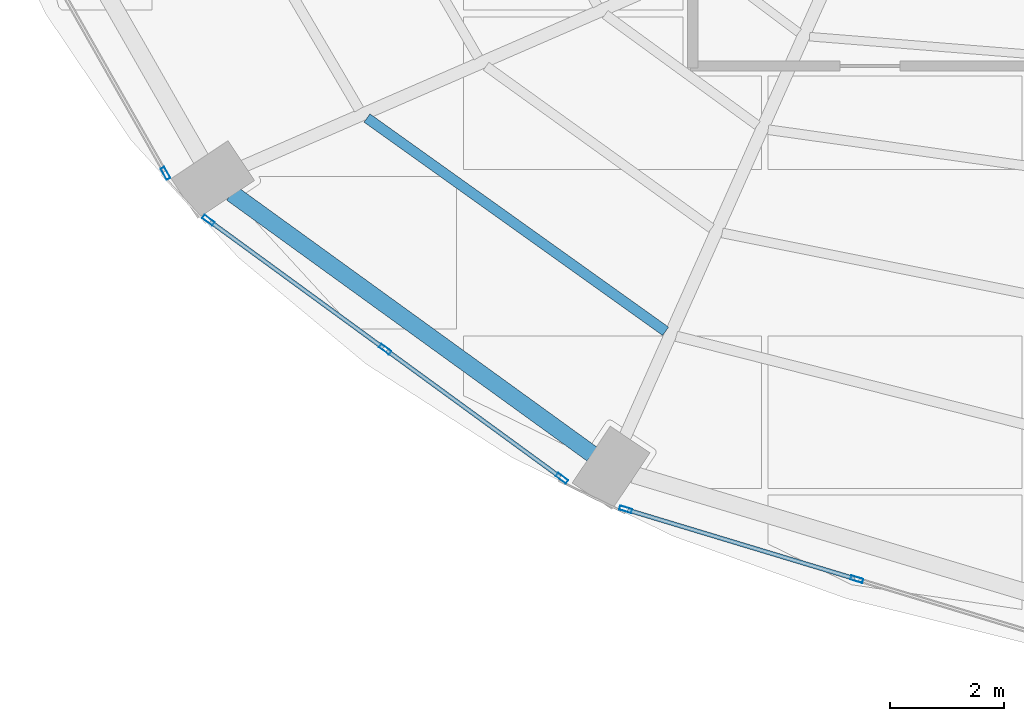
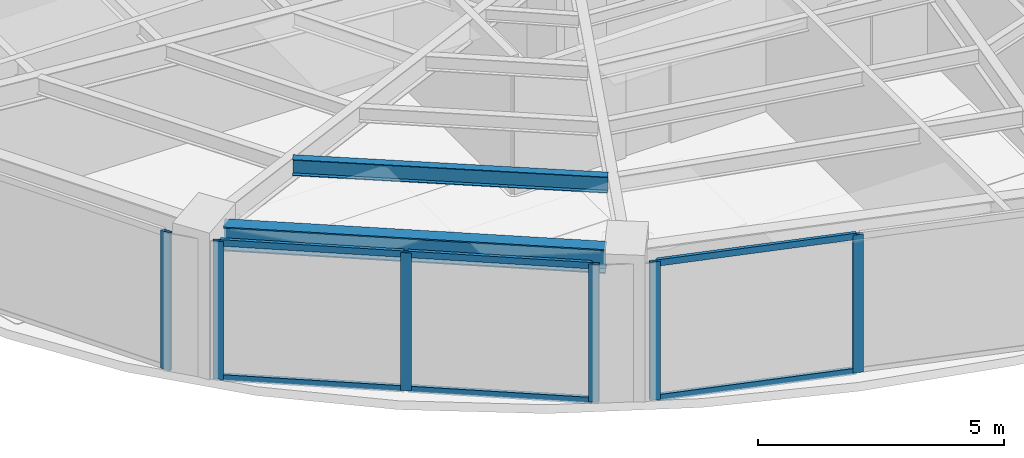
# One storey, part 2 of 23: 12 members, 2 beams, 3 elements without a shape of their own.
"""IFC4 building model written with IfcOpenShell, lengths in metres."""

from ifc_helpers import new_model, si_unit, direction, frame, origin, origin_2d, place, context, subcontext, project, spatial, hollow_rectangle, i_section, extrude, material, layer, layer_set, material_profile, profile_set, type_object, element, aggregate, save


model = new_model("IFC4")

# Units and contexts
model_context = context("Model", 3, precision=1e-05, world=origin(), true_north=direction((0.0, 1.0)))
body_context = subcontext(model_context, "Body", "Model", "MODEL_VIEW")
ifc_project = project(units=[si_unit("LENGTHUNIT", "METRE"), si_unit("AREAUNIT", "SQUARE_METRE"), si_unit("VOLUMEUNIT", "CUBIC_METRE"), si_unit("PLANEANGLEUNIT", "RADIAN"), si_unit("MASSUNIT", "GRAM", prefix="KILO")], contexts=[model_context])

# Site, building, storey
site_placement = place(None, origin())
site = spatial("IfcSite", under=ifc_project, at=site_placement, CompositionType="ELEMENT")
building_placement = place(site_placement, origin())
building = spatial("IfcBuilding", under=site, at=building_placement, Name="Lazwardi Medical Tower", CompositionType="ELEMENT")
storey_placement = place(building_placement, frame((0.0, 0.0, 85.39208984375)))
storey = spatial("IfcBuildingStorey", under=building, at=storey_placement, Name="L21", CompositionType="ELEMENT", Elevation=85.39208984375)

# Beams
ifc_material_1 = material(Name="Steel S355", Category="steel")
ifc_material_profile_1 = material_profile(ifc_material_1, i_section(OverallWidth=0.300048828125, OverallDepth=0.60009765625, WebThickness=0.015380859375, FlangeThickness=0.030029296875, at=origin_2d()), Name="HEB 600")
ifc_profile_set_1 = profile_set([ifc_material_profile_1], Name="Steel S355")
beam_type_1 = type_object("IfcBeamType", Name="BM-RB-Z2", PredefinedType="BEAM", material=ifc_profile_set_1)
beam_1_placement = place(storey_placement, frame((15.25439453125, 15.164794921875, 3.1279296875), z_axis=(0.81005674773, -0.586351486275, 0.0), x_axis=(0.586351486275, 0.81005674773, 0.0)))
element("IfcBeam", 1, at=beam_1_placement, inside=storey, type_object=beam_type_1, Name="Ring beam RB-03 B14 L21", PredefinedType="BEAM", context=body_context, shape_type="SweptSolid", body=[
    extrude(i_section(OverallWidth=0.300048828125, OverallDepth=0.60009765625, WebThickness=0.015380859375, FlangeThickness=0.030029296875, at=origin_2d()), origin(), (0.0, 0.0, 1.0), 7.81396484375),
])
ifc_material_profile_2 = material_profile(ifc_material_1, i_section(OverallWidth=0.179931640625, OverallDepth=0.39990234375, WebThickness=0.008544921875, FlangeThickness=0.013427734375, at=origin_2d()), Name="IPE 400")
ifc_profile_set_2 = profile_set([ifc_material_profile_2], Name="Steel S355")
beam_type_2 = type_object("IfcBeamType", Name="BM-SJ-01", PredefinedType="JOIST", material=ifc_profile_set_2)
beam_2_placement = place(storey_placement, frame((17.630615234375, 16.485595703125, 3.22802734375), z_axis=(0.813748834317, -0.581216684763, 0.0), x_axis=(0.581216684763, 0.813748834317, 0.0)))
element("IfcBeam", 2, at=beam_2_placement, inside=storey, type_object=beam_type_2, Name="Secondary joist SJ-01 R1 B14 L21", PredefinedType="JOIST", context=body_context, shape_type="SweptSolid", body=[
    extrude(i_section(OverallWidth=0.179931640625, OverallDepth=0.39990234375, WebThickness=0.008544921875, FlangeThickness=0.013427734375, at=origin_2d()), origin(), (0.0, 0.0, 1.0), 6.4423828125),
])

# Curtain wall, member
ifc_material_2 = material(Name="Anodised bronze aluminium and solar control glazing", Category="aluminium")
ifc_layer = layer(ifc_material_2, 0.195068359375)
ifc_layer_set = layer_set([ifc_layer], Name="Anodised bronze aluminium and solar control glazing")
curtain_wall_type = type_object("IfcCurtainWallType", Name="CW-SYS-03", PredefinedType="NOTDEFINED", material=ifc_layer_set)
curtain_wall_1_placement = place(storey_placement, origin())
curtain_wall_1 = element("IfcCurtainWall", 3, at=curtain_wall_1_placement, inside=storey, type_object=curtain_wall_type, Name="L21 Unitised bronze curtain wall CW-03", PredefinedType="NOTDEFINED")
ifc_material_3 = material(Name="Anodised bronze aluminium", Category="aluminium")
ifc_material_profile_3 = material_profile(ifc_material_3, hollow_rectangle(XDim=0.074951171875, YDim=0.219970703125, WallThickness=0.00390625, at=origin_2d()), Name="ALU-MULLION 220x75x4")
ifc_profile_set_3 = profile_set([ifc_material_profile_3], Name="Anodised bronze aluminium")
member_type_1 = type_object("IfcMemberType", Name="CW-MUL-01", PredefinedType="MULLION", material=ifc_profile_set_3)
member_1_placement = place(storey_placement, frame((14.0927734375, 15.51416015625, 0.0), z_axis=(0.0, 0.0, 1.0), x_axis=(0.869687265712, 0.493603140041, 0.0)))
member_1 = element("IfcMember", 4, at=member_1_placement, type_object=member_type_1, Name="CW-03 mullion 2", PredefinedType="MULLION", context=body_context, shape_type="SweptSolid", body=[
    extrude(hollow_rectangle(XDim=0.074951171875, YDim=0.219970703125, WallThickness=0.00390625, at=origin_2d()), origin(), (0.0, 0.0, 1.0), 3.427978515625),
])
aggregate(curtain_wall_1, [member_1])

# Curtain wall, members
curtain_wall_2_placement = place(storey_placement, origin())
curtain_wall_2 = element("IfcCurtainWall", 5, at=curtain_wall_2_placement, inside=storey, type_object=curtain_wall_type, Name="L21 Unitised bronze curtain wall CW-03", PredefinedType="NOTDEFINED")
member_2_placement = place(storey_placement, frame((14.844970703125, 14.691162109375, 0.0), z_axis=(0.0, 0.0, 1.0), x_axis=(0.589530882802, 0.807745837639, 0.0)))
member_2 = element("IfcMember", 6, at=member_2_placement, type_object=member_type_1, Name="CW-03 mullion 1", PredefinedType="MULLION", context=body_context, shape_type="SweptSolid", body=[
    extrude(hollow_rectangle(XDim=0.074951171875, YDim=0.219970703125, WallThickness=0.00390625, at=origin_2d()), origin(), (0.0, 0.0, 1.0), 3.427978515625),
])
member_3_placement = place(storey_placement, frame((17.948974609375, 12.42578125, 0.0), z_axis=(0.0, 0.0, 1.0), x_axis=(0.589530882802, 0.807745837639, 0.0)))
member_3 = element("IfcMember", 7, at=member_3_placement, type_object=member_type_1, Name="CW-03 mullion 2", PredefinedType="MULLION", context=body_context, shape_type="SweptSolid", body=[
    extrude(hollow_rectangle(XDim=0.074951171875, YDim=0.219970703125, WallThickness=0.00390625, at=origin_2d()), origin(), (0.0, 0.0, 1.0), 3.427978515625),
])
member_4_placement = place(storey_placement, frame((21.052734375, 10.160400390625, 0.0), z_axis=(0.0, 0.0, 1.0), x_axis=(0.589530882802, 0.807745837639, 0.0)))
member_4 = element("IfcMember", 8, at=member_4_placement, type_object=member_type_1, Name="CW-03 mullion 3", PredefinedType="MULLION", context=body_context, shape_type="SweptSolid", body=[
    extrude(hollow_rectangle(XDim=0.074951171875, YDim=0.219970703125, WallThickness=0.00390625, at=origin_2d()), origin(), (0.0, 0.0, 1.0), 3.427978515625),
])

curtain_wall_3_placement = place(storey_placement, origin())
curtain_wall_3 = element("IfcCurtainWall", 9, at=curtain_wall_3_placement, inside=storey, type_object=curtain_wall_type, Name="L21 Unitised bronze curtain wall CW-03", PredefinedType="NOTDEFINED")
member_5_placement = place(storey_placement, frame((22.171630859375, 9.614013671875, 0.0), z_axis=(0.0, 0.0, 1.0), x_axis=(0.28937381157, 0.957216170558, 0.0)))
member_5 = element("IfcMember", 10, at=member_5_placement, type_object=member_type_1, Name="CW-03 mullion 1", PredefinedType="MULLION", context=body_context, shape_type="SweptSolid", body=[
    extrude(hollow_rectangle(XDim=0.074951171875, YDim=0.219970703125, WallThickness=0.00390625, at=origin_2d()), origin(), (0.0, 0.0, 1.0), 3.427978515625),
])
member_6_placement = place(storey_placement, frame((26.230712890625, 8.386962890625, 0.0), z_axis=(0.0, 0.0, 1.0), x_axis=(0.28937381157, 0.957216170558, 0.0)))
member_6 = element("IfcMember", 11, at=member_6_placement, type_object=member_type_1, Name="CW-03 mullion 2", PredefinedType="MULLION", context=body_context, shape_type="SweptSolid", body=[
    extrude(hollow_rectangle(XDim=0.074951171875, YDim=0.219970703125, WallThickness=0.00390625, at=origin_2d()), origin(), (0.0, 0.0, 1.0), 3.427978515625),
])

# Member
ifc_material_profile_4 = material_profile(ifc_material_3, hollow_rectangle(XDim=0.074951171875, YDim=0.159912109375, WallThickness=0.00390625, at=origin_2d()), Name="ALU-TRANSOM 160x75x4")
ifc_profile_set_4 = profile_set([ifc_material_profile_4], Name="Anodised bronze aluminium")
member_type_2 = type_object("IfcMemberType", Name="CW-TRN-01", PredefinedType="USERDEFINED", material=ifc_profile_set_4)
member_7_placement = place(storey_placement, frame((14.87548828125, 14.6689453125, 0.037353515625), z_axis=(0.807731734271, -0.589550206049, 0.0), x_axis=(0.589550206049, 0.807731734271, 0.0)))
member_7 = element("IfcMember", 12, at=member_7_placement, type_object=member_type_2, Name="CW-03 transom 1.1", ObjectType="TRANSOM", PredefinedType="USERDEFINED", context=body_context, shape_type="SweptSolid", body=[
    extrude(hollow_rectangle(XDim=0.074951171875, YDim=0.159912109375, WallThickness=0.00390625, at=origin_2d()), origin(), (0.0, 0.0, 1.0), 3.767578125),
])

member_8_placement = place(storey_placement, frame((14.87548828125, 14.6689453125, 3.390380859375), z_axis=(0.807731734271, -0.589550206049, 0.0), x_axis=(0.589550206049, 0.807731734271, 0.0)))
member_8 = element("IfcMember", 13, at=member_8_placement, type_object=member_type_2, Name="CW-03 transom 1.2", ObjectType="TRANSOM", PredefinedType="USERDEFINED", context=body_context, shape_type="SweptSolid", body=[
    extrude(hollow_rectangle(XDim=0.074951171875, YDim=0.159912109375, WallThickness=0.00390625, at=origin_2d()), origin(), (0.0, 0.0, 1.0), 3.767578125),
])

member_9_placement = place(storey_placement, frame((17.979248046875, 12.403564453125, 0.037353515625), z_axis=(0.80776259199, -0.58950792614, 0.0), x_axis=(0.58950792614, 0.80776259199, 0.0)))
member_9 = element("IfcMember", 14, at=member_9_placement, type_object=member_type_2, Name="CW-03 transom 2.1", ObjectType="TRANSOM", PredefinedType="USERDEFINED", context=body_context, shape_type="SweptSolid", body=[
    extrude(hollow_rectangle(XDim=0.074951171875, YDim=0.159912109375, WallThickness=0.00390625, at=origin_2d()), origin(), (0.0, 0.0, 1.0), 3.767578125),
])

member_10_placement = place(storey_placement, frame((17.979248046875, 12.403564453125, 3.390380859375), z_axis=(0.80776259199, -0.58950792614, 0.0), x_axis=(0.58950792614, 0.80776259199, 0.0)))
member_10 = element("IfcMember", 15, at=member_10_placement, type_object=member_type_2, Name="CW-03 transom 2.2", ObjectType="TRANSOM", PredefinedType="USERDEFINED", context=body_context, shape_type="SweptSolid", body=[
    extrude(hollow_rectangle(XDim=0.074951171875, YDim=0.159912109375, WallThickness=0.00390625, at=origin_2d()), origin(), (0.0, 0.0, 1.0), 3.767578125),
])

aggregate(curtain_wall_2, [member_2, member_3, member_4, member_7, member_8, member_9, member_10])

member_11_placement = place(storey_placement, frame((22.20751953125, 9.603271484375, 0.037353515625), z_axis=(0.957204630929, -0.289411980623, 0.0), x_axis=(0.289411980623, 0.957204630929, 0.0)))
member_11 = element("IfcMember", 16, at=member_11_placement, type_object=member_type_2, Name="CW-03 transom 1.1", ObjectType="TRANSOM", PredefinedType="USERDEFINED", context=body_context, shape_type="SweptSolid", body=[
    extrude(hollow_rectangle(XDim=0.074951171875, YDim=0.159912109375, WallThickness=0.00390625, at=origin_2d()), origin(), (0.0, 0.0, 1.0), 4.16552734375),
])

member_12_placement = place(storey_placement, frame((22.20751953125, 9.603271484375, 3.390380859375), z_axis=(0.957204630929, -0.289411980623, 0.0), x_axis=(0.289411980623, 0.957204630929, 0.0)))
member_12 = element("IfcMember", 17, at=member_12_placement, type_object=member_type_2, Name="CW-03 transom 1.2", ObjectType="TRANSOM", PredefinedType="USERDEFINED", context=body_context, shape_type="SweptSolid", body=[
    extrude(hollow_rectangle(XDim=0.074951171875, YDim=0.159912109375, WallThickness=0.00390625, at=origin_2d()), origin(), (0.0, 0.0, 1.0), 4.16552734375),
])

aggregate(curtain_wall_3, [member_5, member_6, member_11, member_12])

save(model, "model.ifc")
